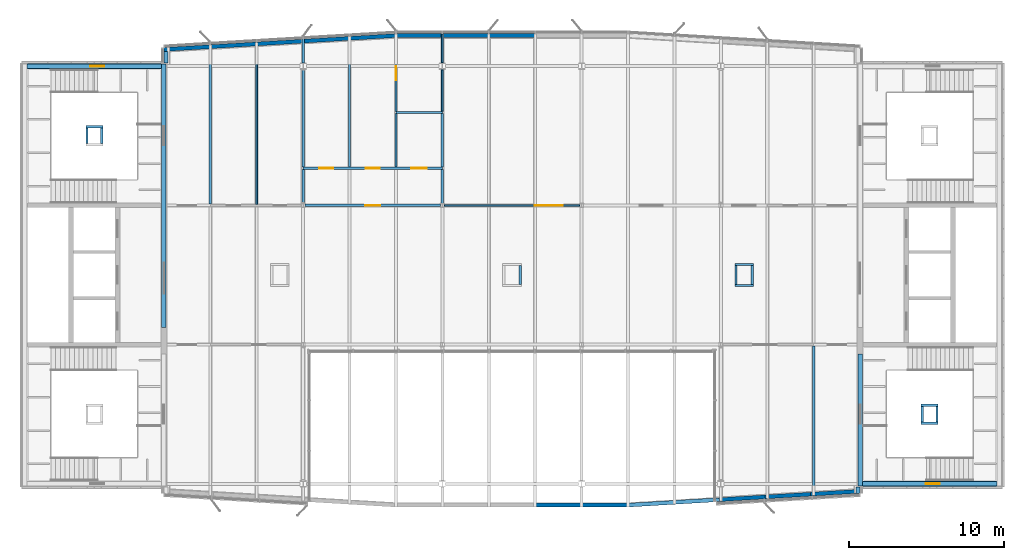
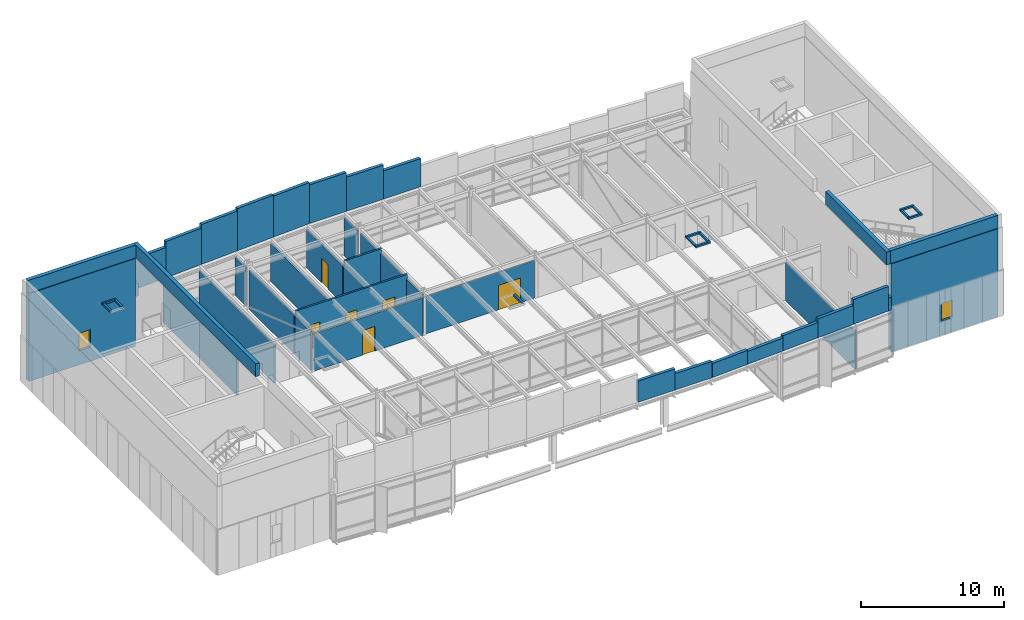
# One storey, part 18 of 23: 52 walls, 6 doors, 2 windows, 8 openings.
"""IFC4 building model written with IfcOpenShell, lengths in metres."""

from ifc_helpers import new_model, si_unit, direction, frame, frame_2d, origin, place, context, subcontext, project, spatial, rectangle, extrude, material, layer, layer_set, type_object, element, fill, save


model = new_model("IFC4")

# Units and contexts
model_context = context("Model", 3, precision=1e-05, world=origin(), true_north=direction((0.0, 1.0)))
body_context = subcontext(model_context, "Body", "Model", "MODEL_VIEW")
ifc_project = project(units=[si_unit("LENGTHUNIT", "METRE"), si_unit("AREAUNIT", "SQUARE_METRE"), si_unit("VOLUMEUNIT", "CUBIC_METRE"), si_unit("PLANEANGLEUNIT", "RADIAN"), si_unit("MASSUNIT", "GRAM", prefix="KILO")], contexts=[model_context])

# Site, building, storey
site_placement = place(None, origin())
site = spatial("IfcSite", under=ifc_project, at=site_placement, CompositionType="ELEMENT")
building_placement = place(site_placement, origin())
building = spatial("IfcBuilding", under=site, at=building_placement, Name="Azimuth Sports and Learning Centre", CompositionType="ELEMENT")
storey_placement = place(building_placement, frame((0.0, 0.0, 75.300048828125)))
storey = spatial("IfcBuildingStorey", under=building, at=storey_placement, Name="L17", CompositionType="ELEMENT", Elevation=75.300048828125)

# Walls
ifc_material_1 = material(Name="Reinforced masonry parapet", Category="masonry")
ifc_layer_1 = layer(ifc_material_1, 0.25)
ifc_layer_set_1 = layer_set([ifc_layer_1], Name="Reinforced masonry parapet")
wall_type_1 = type_object("IfcWallType", Name="Parapet wall 250", PredefinedType="PARAPET", material=ifc_layer_set_1)
wall_1_placement = place(storey_placement, frame((87.00146484375, 88.625, 3.89990234375), z_axis=(0.0, 0.0, 1.0), x_axis=(1.0, 0.0, 0.0)))
element("IfcWall", 1, at=wall_1_placement, inside=storey, type_object=wall_type_1, Name="Parapet S-TOWER-2 4", PredefinedType="PARAPET", context=body_context, shape_type="SweptSolid", body=[
    extrude(rectangle(XDim=2.999267578125, YDim=0.25, at=frame_2d((1.49951171875, 0.0))), origin(), (0.0, 0.0, 1.0), 1.800048828125),
])
wall_2_placement = place(storey_placement, frame((90.000732421875, 88.625, 3.89990234375), z_axis=(0.0, 0.0, 1.0), x_axis=(1.0, 0.0, 0.0)))
element("IfcWall", 2, at=wall_2_placement, inside=storey, type_object=wall_type_1, Name="Parapet S-TOWER-2 5", PredefinedType="PARAPET", context=body_context, shape_type="SweptSolid", body=[
    extrude(rectangle(XDim=2.999267578125, YDim=0.25, at=frame_2d((1.49951171875, 0.0))), origin(), (0.0, 0.0, 1.0), 1.400146484375),
])
wall_3_placement = place(storey_placement, frame((92.996337890625, 88.625, 3.89990234375), z_axis=(0.0, 0.0, 1.0), x_axis=(0.998205635417, 0.059879123422, 0.0)))
element("IfcWall", 3, at=wall_3_placement, inside=storey, type_object=wall_type_1, Name="Parapet S-TOWER-3 1", PredefinedType="PARAPET", context=body_context, shape_type="SweptSolid", body=[
    extrude(rectangle(XDim=2.9560546875, YDim=0.25, at=frame_2d((1.47802734375, 0.0))), origin(), (0.0, 0.0, 1.0), 1.199951171875),
])
wall_4_placement = place(storey_placement, frame((95.947021484375, 88.802001953125, 3.89990234375), z_axis=(0.0, 0.0, 1.0), x_axis=(0.998205931514, 0.059874187172, 0.0)))
element("IfcWall", 4, at=wall_4_placement, inside=storey, type_object=wall_type_1, Name="Parapet S-TOWER-3 2", PredefinedType="PARAPET", context=body_context, shape_type="SweptSolid", body=[
    extrude(rectangle(XDim=2.956298828125, YDim=0.25, at=frame_2d((1.47802734375, 0.0))), origin(), (0.0, 0.0, 1.0), 1.10009765625),
])
wall_5_placement = place(storey_placement, frame((98.89794921875, 88.97900390625, 3.89990234375), z_axis=(0.0, 0.0, 1.0), x_axis=(0.998200695393, 0.059961418572, 0.0)))
element("IfcWall", 5, at=wall_5_placement, inside=storey, type_object=wall_type_1, Name="Parapet S-TOWER-3 3", PredefinedType="PARAPET", context=body_context, shape_type="SweptSolid", body=[
    extrude(rectangle(XDim=2.9560546875, YDim=0.25, at=frame_2d((1.47802734375, 0.0))), origin(), (0.0, 0.0, 1.0), 1.300048828125),
])
wall_6_placement = place(storey_placement, frame((101.8486328125, 89.15625, 3.89990234375), z_axis=(0.0, 0.0, 1.0), x_axis=(0.998205635417, 0.059879123422, 0.0)))
element("IfcWall", 6, at=wall_6_placement, inside=storey, type_object=wall_type_1, Name="Parapet S-TOWER-3 4", PredefinedType="PARAPET", context=body_context, shape_type="SweptSolid", body=[
    extrude(rectangle(XDim=2.9560546875, YDim=0.25, at=frame_2d((1.47802734375, 0.0))), origin(), (0.0, 0.0, 1.0), 1.60009765625),
])
wall_7_placement = place(storey_placement, frame((104.79931640625, 89.333251953125, 3.89990234375), z_axis=(0.0, 0.0, 1.0), x_axis=(0.998205931514, 0.059874187172, 0.0)))
element("IfcWall", 7, at=wall_7_placement, inside=storey, type_object=wall_type_1, Name="Parapet S-TOWER-3 5", PredefinedType="PARAPET", context=body_context, shape_type="SweptSolid", body=[
    extrude(rectangle(XDim=2.956298828125, YDim=0.25, at=frame_2d((1.47802734375, 0.0))), origin(), (0.0, 0.0, 1.0), 2.10009765625),
])
wall_8_placement = place(storey_placement, frame((107.875, 89.38525390625, 3.89990234375), z_axis=(0.0, 0.0, 1.0), x_axis=(0.0, 1.0, 0.0)))
element("IfcWall", 8, at=wall_8_placement, inside=storey, type_object=wall_type_1, Name="Parapet E-RET-S", PredefinedType="PARAPET", context=body_context, shape_type="SweptSolid", body=[
    extrude(rectangle(XDim=0.414794921875, YDim=0.25, at=frame_2d((0.20751953125, 0.0))), origin(), (0.0, 0.0, 1.0), 1.10009765625),
])
wall_9_placement = place(storey_placement, frame((86.997802734375, 118.97509765625, 3.89990234375), z_axis=(0.0, 0.0, 1.0), x_axis=(-1.0, 0.0, 0.0)))
element("IfcWall", 9, at=wall_9_placement, inside=storey, type_object=wall_type_1, Name="Parapet N-TOWER-2 3", PredefinedType="PARAPET", context=body_context, shape_type="SweptSolid", body=[
    extrude(rectangle(XDim=2.999267578125, YDim=0.25, at=frame_2d((1.49951171875, 0.0))), origin(), (0.0, 0.0, 1.0), 2.400146484375),
])
wall_10_placement = place(storey_placement, frame((83.99853515625, 118.97509765625, 3.89990234375), z_axis=(0.0, 0.0, 1.0), x_axis=(-1.0, 0.0, 0.0)))
element("IfcWall", 10, at=wall_10_placement, inside=storey, type_object=wall_type_1, Name="Parapet N-TOWER-2 4", PredefinedType="PARAPET", context=body_context, shape_type="SweptSolid", body=[
    extrude(rectangle(XDim=2.999267578125, YDim=0.25, at=frame_2d((1.49951171875, 0.0))), origin(), (0.0, 0.0, 1.0), 2.900146484375),
])
wall_11_placement = place(storey_placement, frame((80.999267578125, 118.97509765625, 3.89990234375), z_axis=(0.0, 0.0, 1.0), x_axis=(-1.0, 0.0, 0.0)))
element("IfcWall", 11, at=wall_11_placement, inside=storey, type_object=wall_type_1, Name="Parapet N-TOWER-2 5", PredefinedType="PARAPET", context=body_context, shape_type="SweptSolid", body=[
    extrude(rectangle(XDim=2.999267578125, YDim=0.25, at=frame_2d((1.49951171875, 0.0))), origin(), (0.0, 0.0, 1.0), 3.300048828125),
])
wall_12_placement = place(storey_placement, frame((78.003662109375, 118.97509765625, 3.89990234375), z_axis=(0.0, 0.0, 1.0), x_axis=(-0.998203971819, -0.059906849736, 0.0)))
element("IfcWall", 12, at=wall_12_placement, inside=storey, type_object=wall_type_1, Name="Parapet N-TOWER-3 1", PredefinedType="PARAPET", context=body_context, shape_type="SweptSolid", body=[
    extrude(rectangle(XDim=3.007568359375, YDim=0.25, at=frame_2d((1.50390625, 0.0))), origin(), (0.0, 0.0, 1.0), 3.5),
])
wall_13_placement = place(storey_placement, frame((75.00146484375, 118.794921875, 3.89990234375), z_axis=(0.0, 0.0, 1.0), x_axis=(-0.998203971819, -0.059906849736, 0.0)))
element("IfcWall", 13, at=wall_13_placement, inside=storey, type_object=wall_type_1, Name="Parapet N-TOWER-3 2", PredefinedType="PARAPET", context=body_context, shape_type="SweptSolid", body=[
    extrude(rectangle(XDim=3.007568359375, YDim=0.25, at=frame_2d((1.50390625, 0.0))), origin(), (0.0, 0.0, 1.0), 3.60009765625),
])
wall_14_placement = place(storey_placement, frame((71.999267578125, 118.61474609375, 3.89990234375), z_axis=(0.0, 0.0, 1.0), x_axis=(-0.998203971819, -0.059906849736, 0.0)))
element("IfcWall", 14, at=wall_14_placement, inside=storey, type_object=wall_type_1, Name="Parapet N-TOWER-3 3", PredefinedType="PARAPET", context=body_context, shape_type="SweptSolid", body=[
    extrude(rectangle(XDim=3.007568359375, YDim=0.25, at=frame_2d((1.50390625, 0.0))), origin(), (0.0, 0.0, 1.0), 3.400146484375),
])
wall_15_placement = place(storey_placement, frame((68.9970703125, 118.4345703125, 3.89990234375), z_axis=(0.0, 0.0, 1.0), x_axis=(-0.998203971819, -0.059906849736, 0.0)))
element("IfcWall", 15, at=wall_15_placement, inside=storey, type_object=wall_type_1, Name="Parapet N-TOWER-3 4", PredefinedType="PARAPET", context=body_context, shape_type="SweptSolid", body=[
    extrude(rectangle(XDim=3.007568359375, YDim=0.25, at=frame_2d((1.50390625, 0.0))), origin(), (0.0, 0.0, 1.0), 3.10009765625),
])
wall_16_placement = place(storey_placement, frame((65.994873046875, 118.25439453125, 3.89990234375), z_axis=(0.0, 0.0, 1.0), x_axis=(-0.998208822746, -0.059825965875, 0.0)))
element("IfcWall", 16, at=wall_16_placement, inside=storey, type_object=wall_type_1, Name="Parapet N-TOWER-3 5", PredefinedType="PARAPET", context=body_context, shape_type="SweptSolid", body=[
    extrude(rectangle(XDim=3.007568359375, YDim=0.25, at=frame_2d((1.50390625, 0.0))), origin(), (0.0, 0.0, 1.0), 2.60009765625),
])
wall_17_placement = place(storey_placement, frame((63.125, 117.957275390625, 3.89990234375), z_axis=(0.0, 0.0, 1.0), x_axis=(0.0, -1.0, 0.0)))
element("IfcWall", 17, at=wall_17_placement, inside=storey, type_object=wall_type_1, Name="Parapet W-RET-N", PredefinedType="PARAPET", context=body_context, shape_type="SweptSolid", body=[
    extrude(rectangle(XDim=0.75732421875, YDim=0.25, at=frame_2d((0.378662109375, 0.0))), origin(), (0.0, 0.0, 1.0), 1.10009765625),
])
ifc_material_2 = material(Name="Reinforced masonry parapet", Category="masonry")
ifc_layer_2 = layer(ifc_material_2, 0.300048828125)
ifc_layer_set_2 = layer_set([ifc_layer_2], Name="Reinforced masonry parapet")
wall_type_2 = type_object("IfcWallType", Name="Parapet wall 300", PredefinedType="PARAPET", material=ifc_layer_set_2)
wall_18_placement = place(storey_placement, frame((63.0, 100.10009765625, 7.5), z_axis=(0.0, 0.0, 1.0), x_axis=(0.0, 1.0, 0.0)))
element("IfcWall", 18, at=wall_18_placement, inside=storey, type_object=wall_type_2, Name="Crown parapet W E 2", PredefinedType="PARAPET", context=body_context, shape_type="SweptSolid", body=[
    extrude(rectangle(XDim=17.0498046875, YDim=0.300048828125, at=frame_2d((8.52490234375, 0.0))), origin(), (0.0, 0.0, 1.0), 1.099853515625),
])
wall_19_placement = place(storey_placement, frame((54.14990234375, 117.0, 7.5), z_axis=(0.0, 0.0, 1.0), x_axis=(1.0, 0.0, 0.0)))
element("IfcWall", 19, at=wall_19_placement, inside=storey, type_object=wall_type_2, Name="Crown parapet W N", PredefinedType="PARAPET", context=body_context, shape_type="SweptSolid", body=[
    extrude(rectangle(XDim=8.7001953125, YDim=0.300048828125, at=frame_2d((4.35009765625, 0.0))), origin(), (0.0, 0.0, 1.0), 1.099853515625),
])
wall_20_placement = place(storey_placement, frame((108.0, 89.85009765625, 7.5), z_axis=(0.0, 0.0, 1.0), x_axis=(0.0, 1.0, 0.0)))
element("IfcWall", 20, at=wall_20_placement, inside=storey, type_object=wall_type_2, Name="Crown parapet E W 1", PredefinedType="PARAPET", context=body_context, shape_type="SweptSolid", body=[
    extrude(rectangle(XDim=8.5498046875, YDim=0.300048828125, at=frame_2d((4.27490234375, 0.0))), origin(), (0.0, 0.0, 1.0), 1.099853515625),
])
wall_21_placement = place(storey_placement, frame((108.14990234375, 90.0, 7.5), z_axis=(0.0, 0.0, 1.0), x_axis=(1.0, 0.0, 0.0)))
element("IfcWall", 21, at=wall_21_placement, inside=storey, type_object=wall_type_2, Name="Crown parapet E S", PredefinedType="PARAPET", context=body_context, shape_type="SweptSolid", body=[
    extrude(rectangle(XDim=8.7001953125, YDim=0.300048828125, at=frame_2d((4.35009765625, 0.0))), origin(), (0.0, 0.0, 1.0), 1.099853515625),
])

# Wall, opening, door
ifc_material_3 = material(Name="Gypsum board on steel studs", Category="steel")
ifc_layer_3 = layer(ifc_material_3, 0.10009765625)
ifc_layer_set_3 = layer_set([ifc_layer_3], Name="Gypsum board on steel studs")
wall_type_3 = type_object("IfcWallType", Name="Partition 100 EI 30", PredefinedType="PARTITIONING", material=ifc_layer_set_3)
wall_22_placement = place(storey_placement, frame((81.1298828125, 108.0, 0.0), z_axis=(0.0, 0.0, 1.0), x_axis=(1.0, 0.0, 0.0)))
wall_22 = element("IfcWall", 22, at=wall_22_placement, inside=storey, type_object=wall_type_3, Name="Partition Seminar Room 17.16 / Learning Street", PredefinedType="PARTITIONING", context=body_context, shape_type="SweptSolid", body=[
    extrude(rectangle(XDim=8.740234375, YDim=0.10009765625, at=frame_2d((4.3701171875, 0.0))), origin(), (0.0, 0.0, 1.0), 3.199951171875),
])
opening_1_placement = place(wall_22_placement, frame((5.844970703125, 0.0, 0.0)))
opening_1 = element("IfcOpeningElement", 23, at=opening_1_placement, cuts=wall_22, Name="Opening D17-024", PredefinedType="OPENING", context=body_context, shape_type="SweptSolid", body=[
    extrude(rectangle(XDim=1.800048828125, YDim=2.10009765625, at=frame_2d((0.89990234375, 1.050048828125))), frame((0.0, 0.06103515625, 0.0), z_axis=(0.0, -1.0, 0.0), x_axis=(1.0, 0.0, 0.0)), (0.0, 0.0, 1.0), 0.1220703125),
])
ifc_material_4 = material(Name="Painted steel door set", Category="steel")
door_type_1 = type_object("IfcDoorType", Name="Fire door FD30S 1800 x 2100 double leaf", OperationType="DOUBLE_DOOR_SINGLE_SWING", PredefinedType="DOOR", material=ifc_material_4)
door_1_placement = place(opening_1_placement, origin())
door_1 = element("IfcDoor", 24, at=door_1_placement, inside=storey, type_object=door_type_1, Name="Door Seminar Room 17.16 / Learning Street", OperationType="DOUBLE_DOOR_SINGLE_SWING", OverallHeight=2.10009765625, OverallWidth=1.800048828125, PredefinedType="DOOR", context=body_context, shape_type="SweptSolid", body=[
    extrude(rectangle(XDim=1.800048828125, YDim=2.10009765625, at=frame_2d((0.89990234375, 1.050048828125))), frame((0.0, 0.02490234375, 0.0), z_axis=(0.0, -1.0, 0.0), x_axis=(1.0, 0.0, 0.0)), (0.0, 0.0, 1.0), 0.050048828125),
])
fill(opening_1, door_1)

# Walls
ifc_material_5 = material(Name="Gypsum board on steel studs, acoustic", Category="steel")
ifc_layer_4 = layer(ifc_material_5, 0.125)
ifc_layer_set_4 = layer_set([ifc_layer_4], Name="Gypsum board on steel studs, acoustic")
wall_type_4 = type_object("IfcWallType", Name="Partition 125 EI 60", PredefinedType="PARTITIONING", material=ifc_layer_set_4)
wall_23_placement = place(storey_placement, frame((69.0, 108.050048828125, 0.0), z_axis=(0.0, 0.0, 1.0), x_axis=(0.0, 1.0, 0.0)))
element("IfcWall", 25, at=wall_23_placement, inside=storey, type_object=wall_type_4, Name="Partition Reception 17.09 / Cleaner Store 17.10", PredefinedType="PARTITIONING", context=body_context, shape_type="SweptSolid", body=[
    extrude(rectangle(XDim=10.510009765625, YDim=0.125, at=frame_2d((5.2548828125, 0.0))), origin(), (0.0, 0.0, 1.0), 3.25),
])
wall_24_placement = place(storey_placement, frame((81.0, 114.074951171875, 0.0), z_axis=(0.0, 0.0, 1.0), x_axis=(0.0, 1.0, 0.0)))
element("IfcWall", 26, at=wall_24_placement, inside=storey, type_object=wall_type_4, Name="Partition Cleaner Store 17.15 / Seminar Room 17.16", PredefinedType="PARTITIONING", context=body_context, shape_type="SweptSolid", body=[
    extrude(rectangle(XDim=2.70751953125, YDim=0.125, at=frame_2d((1.353759765625, 0.0))), origin(), (0.0, 0.0, 1.0), 3.300048828125),
])
wall_25_placement = place(storey_placement, frame((81.0, 117.217529296875, 0.0), z_axis=(0.0, 0.0, 1.0), x_axis=(0.0, 1.0, 0.0)))
element("IfcWall", 27, at=wall_25_placement, inside=storey, type_object=wall_type_4, Name="Partition Cleaner Store 17.15 / Seminar Room 17.16", PredefinedType="PARTITIONING", context=body_context, shape_type="SweptSolid", body=[
    extrude(rectangle(XDim=1.882568359375, YDim=0.125, at=frame_2d((0.94140625, 0.0))), origin(), (0.0, 0.0, 1.0), 3.25),
])

# Wall, opening, door
ifc_material_6 = material(Name="Lightweight blockwork, rendered", Category="masonry")
ifc_layer_5 = layer(ifc_material_6, 0.14990234375)
ifc_layer_set_5 = layer_set([ifc_layer_5], Name="Lightweight blockwork, rendered")
wall_type_5 = type_object("IfcWallType", Name="Partition 150 EI 60", PredefinedType="PARTITIONING", material=ifc_layer_set_5)
wall_26_placement = place(storey_placement, frame((72.1298828125, 108.0, 0.0), z_axis=(0.0, 0.0, 1.0), x_axis=(1.0, 0.0, 0.0)))
wall_26 = element("IfcWall", 28, at=wall_26_placement, inside=storey, type_object=wall_type_5, Name="Partition WC Lobby 17.11 / Learning Street", PredefinedType="PARTITIONING", context=body_context, shape_type="SweptSolid", body=[
    extrude(rectangle(XDim=8.740234375, YDim=0.14990234375, at=frame_2d((4.3701171875, 0.0))), origin(), (0.0, 0.0, 1.0), 3.199951171875),
])
opening_2_placement = place(wall_26_placement, frame((3.8701171875, 0.0, 0.0)))
opening_2 = element("IfcOpeningElement", 29, at=opening_2_placement, cuts=wall_26, Name="Opening D17-023", PredefinedType="OPENING", context=body_context, shape_type="SweptSolid", body=[
    extrude(rectangle(XDim=1.0, YDim=2.10009765625, at=frame_2d((0.5, 1.050048828125))), frame((0.0, 0.0859375, 0.0), z_axis=(0.0, -1.0, 0.0), x_axis=(1.0, 0.0, 0.0)), (0.0, 0.0, 1.0), 0.171875),
])
ifc_material_7 = material(Name="Painted steel door set", Category="steel")
door_type_2 = type_object("IfcDoorType", Name="Fire door FD60 1000 x 2100", OperationType="NOTDEFINED", PredefinedType="DOOR", material=ifc_material_7)
door_2_placement = place(opening_2_placement, origin())
door_2 = element("IfcDoor", 30, at=door_2_placement, inside=storey, type_object=door_type_2, Name="Door WC Lobby 17.11 / Learning Street", OperationType="SINGLE_SWING_LEFT", OverallHeight=2.10009765625, OverallWidth=1.0, PredefinedType="DOOR", context=body_context, shape_type="SweptSolid", body=[
    extrude(rectangle(XDim=1.0, YDim=2.10009765625, at=frame_2d((0.5, 1.050048828125))), frame((0.0, 0.02490234375, 0.0), z_axis=(0.0, -1.0, 0.0), x_axis=(1.0, 0.0, 0.0)), (0.0, 0.0, 1.0), 0.050048828125),
])
fill(opening_2, door_2)

# Wall, openings, doors
wall_27_placement = place(storey_placement, frame((72.0, 110.39990234375, 0.0), z_axis=(0.0, 0.0, 1.0), x_axis=(1.0, 0.0, 0.0)))
wall_27 = element("IfcWall", 31, at=wall_27_placement, inside=storey, type_object=wall_type_5, Name="Partition WC Lobby 17.11 / Men WC 17.12", PredefinedType="PARTITIONING", context=body_context, shape_type="SweptSolid", body=[
    extrude(rectangle(XDim=9.0, YDim=0.14990234375, at=frame_2d((4.5, 0.0))), origin(), (0.0, 0.0, 1.0), 3.699951171875),
])
opening_3_placement = place(wall_27_placement, frame((1.050048828125, 0.0, 0.0)))
opening_3 = element("IfcOpeningElement", 32, at=opening_3_placement, cuts=wall_27, Name="Opening D17-028", PredefinedType="OPENING", context=body_context, shape_type="SweptSolid", body=[
    extrude(rectangle(XDim=0.89990234375, YDim=2.10009765625, at=frame_2d((0.449951171875, 1.050048828125))), frame((0.0, 0.0859375, 0.0), z_axis=(0.0, -1.0, 0.0), x_axis=(1.0, 0.0, 0.0)), (0.0, 0.0, 1.0), 0.171875),
])
opening_4_placement = place(wall_27_placement, frame((4.050048828125, 0.0, 0.0)))
opening_4 = element("IfcOpeningElement", 33, at=opening_4_placement, cuts=wall_27, Name="Opening D17-029", PredefinedType="OPENING", context=body_context, shape_type="SweptSolid", body=[
    extrude(rectangle(XDim=0.89990234375, YDim=2.10009765625, at=frame_2d((0.449951171875, 1.050048828125))), frame((0.0, 0.0859375, 0.0), z_axis=(0.0, -1.0, 0.0), x_axis=(1.0, 0.0, 0.0)), (0.0, 0.0, 1.0), 0.171875),
])
opening_5_placement = place(wall_27_placement, frame((7.0, 0.0, 0.0)))
opening_5 = element("IfcOpeningElement", 34, at=opening_5_placement, cuts=wall_27, Name="Opening D17-030", PredefinedType="OPENING", context=body_context, shape_type="SweptSolid", body=[
    extrude(rectangle(XDim=1.0, YDim=2.10009765625, at=frame_2d((0.5, 1.050048828125))), frame((0.0, 0.0859375, 0.0), z_axis=(0.0, -1.0, 0.0), x_axis=(1.0, 0.0, 0.0)), (0.0, 0.0, 1.0), 0.171875),
])
door_3_placement = place(opening_5_placement, origin())
door_3 = element("IfcDoor", 35, at=door_3_placement, inside=storey, type_object=door_type_2, Name="Door WC Lobby 17.11 / Accessible WC 17.14", OperationType="SINGLE_SWING_LEFT", OverallHeight=2.10009765625, OverallWidth=1.0, PredefinedType="DOOR", context=body_context, shape_type="SweptSolid", body=[
    extrude(rectangle(XDim=1.0, YDim=2.10009765625, at=frame_2d((0.5, 1.050048828125))), frame((0.0, 0.02490234375, 0.0), z_axis=(0.0, -1.0, 0.0), x_axis=(1.0, 0.0, 0.0)), (0.0, 0.0, 1.0), 0.050048828125),
])
fill(opening_5, door_3)
ifc_material_8 = material(Name="Painted steel door set", Category="steel")
door_type_3 = type_object("IfcDoorType", Name="Fire door FD60 900 x 2100", OperationType="NOTDEFINED", PredefinedType="DOOR", material=ifc_material_8)
door_4_placement = place(opening_3_placement, frame((0.89990234375, 0.0, 0.0), z_axis=(0.0, 0.0, 1.0), x_axis=(-1.0, 0.0, 0.0)))
door_4 = element("IfcDoor", 36, at=door_4_placement, inside=storey, type_object=door_type_3, Name="Door WC Lobby 17.11 / Men WC 17.12", OperationType="SINGLE_SWING_RIGHT", OverallHeight=2.10009765625, OverallWidth=0.89990234375, PredefinedType="DOOR", context=body_context, shape_type="SweptSolid", body=[
    extrude(rectangle(XDim=0.89990234375, YDim=2.10009765625, at=frame_2d((0.449951171875, 1.050048828125))), frame((0.0, 0.02490234375, 0.0), z_axis=(0.0, -1.0, 0.0), x_axis=(1.0, 0.0, 0.0)), (0.0, 0.0, 1.0), 0.050048828125),
])
fill(opening_3, door_4)
door_5_placement = place(opening_4_placement, frame((0.89990234375, 0.0, 0.0), z_axis=(0.0, 0.0, 1.0), x_axis=(-1.0, 0.0, 0.0)))
door_5 = element("IfcDoor", 37, at=door_5_placement, inside=storey, type_object=door_type_3, Name="Door WC Lobby 17.11 / Women WC 17.13", OperationType="SINGLE_SWING_RIGHT", OverallHeight=2.10009765625, OverallWidth=0.89990234375, PredefinedType="DOOR", context=body_context, shape_type="SweptSolid", body=[
    extrude(rectangle(XDim=0.89990234375, YDim=2.10009765625, at=frame_2d((0.449951171875, 1.050048828125))), frame((0.0, 0.02490234375, 0.0), z_axis=(0.0, -1.0, 0.0), x_axis=(1.0, 0.0, 0.0)), (0.0, 0.0, 1.0), 0.050048828125),
])
fill(opening_4, door_5)

# Walls
wall_28_placement = place(storey_placement, frame((78.0, 114.0, 0.0), z_axis=(0.0, 0.0, 1.0), x_axis=(1.0, 0.0, 0.0)))
element("IfcWall", 38, at=wall_28_placement, inside=storey, type_object=wall_type_5, Name="Partition Accessible WC 17.14 / Cleaner Store 17.15", PredefinedType="PARTITIONING", context=body_context, shape_type="SweptSolid", body=[
    extrude(rectangle(XDim=3.0, YDim=0.14990234375, at=frame_2d((1.5, 0.0))), origin(), (0.0, 0.0, 1.0), 3.699951171875),
])
wall_29_placement = place(storey_placement, frame((66.0, 108.074951171875, 0.0), z_axis=(0.0, 0.0, 1.0), x_axis=(0.0, 1.0, 0.0)))
element("IfcWall", 39, at=wall_29_placement, inside=storey, type_object=wall_type_5, Name="Partition Stair Lobby W2 17.02 / Reception 17.09", PredefinedType="PARTITIONING", context=body_context, shape_type="SweptSolid", body=[
    extrude(rectangle(XDim=10.304931640625, YDim=0.14990234375, at=frame_2d((5.15234375, 0.0))), origin(), (0.0, 0.0, 1.0), 3.25),
])
wall_30_placement = place(storey_placement, frame((72.0, 108.1298828125, 0.0), z_axis=(0.0, 0.0, 1.0), x_axis=(0.0, 1.0, 0.0)))
element("IfcWall", 40, at=wall_30_placement, inside=storey, type_object=wall_type_5, Name="Partition Cleaner Store 17.10 / WC Lobby 17.11", PredefinedType="PARTITIONING", context=body_context, shape_type="SweptSolid", body=[
    extrude(rectangle(XDim=2.195068359375, YDim=0.14990234375, at=frame_2d((1.09765625, 0.0))), origin(), (0.0, 0.0, 1.0), 3.300048828125),
])
wall_31_placement = place(storey_placement, frame((72.0, 110.47509765625, 0.0), z_axis=(0.0, 0.0, 1.0), x_axis=(0.0, 1.0, 0.0)))
element("IfcWall", 41, at=wall_31_placement, inside=storey, type_object=wall_type_5, Name="Partition Cleaner Store 17.10 / WC Lobby 17.11", PredefinedType="PARTITIONING", context=body_context, shape_type="SweptSolid", body=[
    extrude(rectangle(XDim=6.307373046875, YDim=0.14990234375, at=frame_2d((3.15380859375, 0.0))), origin(), (0.0, 0.0, 1.0), 3.300048828125),
])
wall_32_placement = place(storey_placement, frame((72.0, 117.217529296875, 0.0), z_axis=(0.0, 0.0, 1.0), x_axis=(0.0, 1.0, 0.0)))
element("IfcWall", 42, at=wall_32_placement, inside=storey, type_object=wall_type_5, Name="Partition Cleaner Store 17.10 / WC Lobby 17.11", PredefinedType="PARTITIONING", context=body_context, shape_type="SweptSolid", body=[
    extrude(rectangle(XDim=1.5224609375, YDim=0.14990234375, at=frame_2d((0.76123046875, 0.0))), origin(), (0.0, 0.0, 1.0), 3.25),
])
wall_33_placement = place(storey_placement, frame((75.0, 110.47509765625, 0.0), z_axis=(0.0, 0.0, 1.0), x_axis=(0.0, 1.0, 0.0)))
element("IfcWall", 43, at=wall_33_placement, inside=storey, type_object=wall_type_5, Name="Partition Men WC 17.12 / Women WC 17.13", PredefinedType="PARTITIONING", context=body_context, shape_type="SweptSolid", body=[
    extrude(rectangle(XDim=8.44482421875, YDim=0.14990234375, at=frame_2d((4.222412109375, 0.0))), origin(), (0.0, 0.0, 1.0), 3.25),
])
wall_34_placement = place(storey_placement, frame((78.0, 110.47509765625, 0.0), z_axis=(0.0, 0.0, 1.0), x_axis=(0.0, 1.0, 0.0)))
element("IfcWall", 44, at=wall_34_placement, inside=storey, type_object=wall_type_5, Name="Partition Women WC 17.13 / Accessible WC 17.14", PredefinedType="PARTITIONING", context=body_context, shape_type="SweptSolid", body=[
    extrude(rectangle(XDim=3.449951171875, YDim=0.14990234375, at=frame_2d((1.72509765625, 0.0))), origin(), (0.0, 0.0, 1.0), 3.25),
])

# Wall, opening, door
wall_35_placement = place(storey_placement, frame((78.0, 114.074951171875, 0.0), z_axis=(0.0, 0.0, 1.0), x_axis=(0.0, 1.0, 0.0)))
wall_35 = element("IfcWall", 45, at=wall_35_placement, inside=storey, type_object=wall_type_5, Name="Partition Women WC 17.13 / Accessible WC 17.14", PredefinedType="PARTITIONING", context=body_context, shape_type="SweptSolid", body=[
    extrude(rectangle(XDim=5.025146484375, YDim=0.14990234375, at=frame_2d((2.5126953125, 0.0))), origin(), (0.0, 0.0, 1.0), 3.25),
])
opening_6_placement = place(wall_35_placement, frame((2.02490234375, 0.0, 0.0)))
opening_6 = element("IfcOpeningElement", 46, at=opening_6_placement, cuts=wall_35, Name="Opening D17-031", PredefinedType="OPENING", context=body_context, shape_type="SweptSolid", body=[
    extrude(rectangle(XDim=0.89990234375, YDim=2.10009765625, at=frame_2d((0.449951171875, 1.050048828125))), frame((0.0, 0.0859375, 0.0), z_axis=(0.0, -1.0, 0.0), x_axis=(1.0, 0.0, 0.0)), (0.0, 0.0, 1.0), 0.171875),
])
door_6_placement = place(opening_6_placement, frame((0.89990234375, 0.0, 0.0), z_axis=(0.0, 0.0, 1.0), x_axis=(-1.0, 0.0, 0.0)))
door_6 = element("IfcDoor", 47, at=door_6_placement, inside=storey, type_object=door_type_3, Name="Door Women WC 17.13 / Cleaner Store 17.15", OperationType="SINGLE_SWING_LEFT", OverallHeight=2.10009765625, OverallWidth=0.89990234375, PredefinedType="DOOR", context=body_context, shape_type="SweptSolid", body=[
    extrude(rectangle(XDim=0.89990234375, YDim=2.10009765625, at=frame_2d((0.449951171875, 1.050048828125))), frame((0.0, 0.02490234375, 0.0), z_axis=(0.0, -1.0, 0.0), x_axis=(1.0, 0.0, 0.0)), (0.0, 0.0, 1.0), 0.050048828125),
])
fill(opening_6, door_6)

# Walls
wall_36_placement = place(storey_placement, frame((81.0, 108.1298828125, 0.0), z_axis=(0.0, 0.0, 1.0), x_axis=(0.0, 1.0, 0.0)))
element("IfcWall", 48, at=wall_36_placement, inside=storey, type_object=wall_type_5, Name="Partition WC Lobby 17.11 / Accessible WC 17.14", PredefinedType="PARTITIONING", context=body_context, shape_type="SweptSolid", body=[
    extrude(rectangle(XDim=2.195068359375, YDim=0.14990234375, at=frame_2d((1.09765625, 0.0))), origin(), (0.0, 0.0, 1.0), 3.300048828125),
])
wall_37_placement = place(storey_placement, frame((81.0, 110.47509765625, 0.0), z_axis=(0.0, 0.0, 1.0), x_axis=(0.0, 1.0, 0.0)))
element("IfcWall", 49, at=wall_37_placement, inside=storey, type_object=wall_type_5, Name="Partition WC Lobby 17.11 / Accessible WC 17.14", PredefinedType="PARTITIONING", context=body_context, shape_type="SweptSolid", body=[
    extrude(rectangle(XDim=3.449951171875, YDim=0.14990234375, at=frame_2d((1.72509765625, 0.0))), origin(), (0.0, 0.0, 1.0), 3.300048828125),
])
wall_38_placement = place(storey_placement, frame((105.0, 89.219970703125, 0.0), z_axis=(0.0, 0.0, 1.0), x_axis=(0.0, 1.0, 0.0)))
element("IfcWall", 50, at=wall_38_placement, inside=storey, type_object=wall_type_5, Name="Partition Stair Lobby E1 17.03 / Boardroom 17.08", PredefinedType="PARTITIONING", context=body_context, shape_type="SweptSolid", body=[
    extrude(rectangle(XDim=9.705078125, YDim=0.14990234375, at=frame_2d((4.8525390625, 0.0))), origin(), (0.0, 0.0, 1.0), 3.25),
])

# Wall, opening, window
ifc_material_9 = material(Name="Concrete C40/50", Category="concrete")
ifc_layer_6 = layer(ifc_material_9, 0.39990234375)
ifc_layer_set_6 = layer_set([ifc_layer_6], Name="Concrete C40/50")
wall_type_6 = type_object("IfcWallType", Name="RC external core wall 400", PredefinedType="SHEAR", material=ifc_layer_set_6)
wall_39_placement = place(storey_placement, frame((54.199951171875, 117.0, 0.0), z_axis=(0.0, 0.0, 1.0), x_axis=(1.0, 0.0, 0.0)))
wall_39 = element("IfcWall", 51, at=wall_39_placement, inside=storey, type_object=wall_type_6, Name="Core wall W N L17", PredefinedType="SHEAR", context=body_context, shape_type="SweptSolid", body=[
    extrude(rectangle(XDim=8.60009765625, YDim=0.39990234375, at=frame_2d((4.300048828125, 0.0))), origin(), (0.0, 0.0, 1.0), 7.5),
])
opening_7_placement = place(wall_39_placement, frame((4.050048828125, 0.0, 1.199951171875)))
opening_7 = element("IfcOpeningElement", 52, at=opening_7_placement, cuts=wall_39, Name="Opening W17-004", PredefinedType="OPENING", context=body_context, shape_type="SweptSolid", body=[
    extrude(rectangle(XDim=0.89990234375, YDim=1.5, at=frame_2d((0.449951171875, 0.75))), frame((0.0, 0.2109375, 0.0), z_axis=(0.0, -1.0, 0.0), x_axis=(1.0, 0.0, 0.0)), (0.0, 0.0, 1.0), 0.421875),
])
ifc_material_10 = material(Name="Aluminium and glass", Category="aluminium")
window_type = type_object("IfcWindowType", Name="Stair window tower core 900x1500", PartitioningType="SINGLE_PANEL", PredefinedType="WINDOW", material=ifc_material_10)
window_1_placement = place(opening_7_placement, origin())
window_1 = element("IfcWindow", 53, at=window_1_placement, inside=storey, type_object=window_type, Name="Window W17-004", OverallHeight=1.5, OverallWidth=0.89990234375, PartitioningType="SINGLE_PANEL", PredefinedType="WINDOW", context=body_context, shape_type="SweptSolid", body=[
    extrude(rectangle(XDim=0.89990234375, YDim=1.5, at=frame_2d((0.449951171875, 0.75))), frame((0.0, 0.030029296875, 0.0), z_axis=(0.0, -1.0, 0.0), x_axis=(1.0, 0.0, 0.0)), (0.0, 0.0, 1.0), 0.06005859375),
])
fill(opening_7, window_1)

wall_40_placement = place(storey_placement, frame((108.199951171875, 90.0, 0.0), z_axis=(0.0, 0.0, 1.0), x_axis=(1.0, 0.0, 0.0)))
wall_40 = element("IfcWall", 54, at=wall_40_placement, inside=storey, type_object=wall_type_6, Name="Core wall E S L17", PredefinedType="SHEAR", context=body_context, shape_type="SweptSolid", body=[
    extrude(rectangle(XDim=8.60009765625, YDim=0.39990234375, at=frame_2d((4.300048828125, 0.0))), origin(), (0.0, 0.0, 1.0), 7.5),
])
opening_8_placement = place(wall_40_placement, frame((4.050048828125, 0.0, 1.199951171875)))
opening_8 = element("IfcOpeningElement", 55, at=opening_8_placement, cuts=wall_40, Name="Opening W17-002", PredefinedType="OPENING", context=body_context, shape_type="SweptSolid", body=[
    extrude(rectangle(XDim=0.89990234375, YDim=1.5, at=frame_2d((0.449951171875, 0.75))), frame((0.0, 0.2109375, 0.0), z_axis=(0.0, -1.0, 0.0), x_axis=(1.0, 0.0, 0.0)), (0.0, 0.0, 1.0), 0.421875),
])
window_2_placement = place(opening_8_placement, origin())
window_2 = element("IfcWindow", 56, at=window_2_placement, inside=storey, type_object=window_type, Name="Window W17-002", OverallHeight=1.5, OverallWidth=0.89990234375, PartitioningType="SINGLE_PANEL", PredefinedType="WINDOW", context=body_context, shape_type="SweptSolid", body=[
    extrude(rectangle(XDim=0.89990234375, YDim=1.5, at=frame_2d((0.449951171875, 0.75))), frame((0.0, 0.030029296875, 0.0), z_axis=(0.0, -1.0, 0.0), x_axis=(1.0, 0.0, 0.0)), (0.0, 0.0, 1.0), 0.06005859375),
])
fill(opening_8, window_2)

# Walls
ifc_material_11 = material(Name="Insulated upstand")
ifc_layer_7 = layer(ifc_material_11, 0.14990234375)
ifc_layer_set_7 = layer_set([ifc_layer_7], Name="Insulated upstand")
wall_type_7 = type_object("IfcWallType", Name="Rooflight upstand 150", PredefinedType="SOLIDWALL", material=ifc_layer_set_7)
for number, where, z_axis, x_axis, name in (
    (57, (86.02490234375, 102.89990234375, 3.89990234375), (0.0, 0.0, 1.0), (0.0, 1.0, 0.0), "Rooflight upstand E"),
    (58, (99.89990234375, 102.824951171875, 3.89990234375), (0.0, 0.0, 1.0), (1.0, 0.0, 0.0), "Rooflight upstand S"),
    (59, (99.89990234375, 104.175048828125, 3.89990234375), (0.0, 0.0, 1.0), (1.0, 0.0, 0.0), "Rooflight upstand N"),
    (60, (99.97509765625, 102.89990234375, 3.89990234375), (0.0, 0.0, 1.0), (0.0, 1.0, 0.0), "Rooflight upstand W"),
    (61, (101.02490234375, 102.89990234375, 3.89990234375), (0.0, 0.0, 1.0), (0.0, 1.0, 0.0), "Rooflight upstand E"),
):
    element("IfcWall", number, at=place(storey_placement, frame(where, z_axis=z_axis, x_axis=x_axis)), inside=storey, type_object=wall_type_7, Name=name, PredefinedType="SOLIDWALL", context=body_context, shape_type="SweptSolid", body=[
        extrude(rectangle(XDim=1.2001953125, YDim=0.14990234375, at=frame_2d((0.60009765625, 0.0))), origin(), (0.0, 0.0, 1.0), 0.150146484375),
    ])
wall_41_placement = place(storey_placement, frame((57.949951171875, 113.074951171875, 7.5), z_axis=(0.0, 0.0, 1.0), x_axis=(1.0, 0.0, 0.0)))
element("IfcWall", 62, at=wall_41_placement, inside=storey, type_object=wall_type_7, Name="Rooflight upstand N", PredefinedType="SOLIDWALL", context=body_context, shape_type="SweptSolid", body=[
    extrude(rectangle(XDim=1.10009765625, YDim=0.14990234375, at=frame_2d((0.550048828125, 0.0))), origin(), (0.0, 0.0, 1.0), 0.14990234375),
])
for number, where, z_axis, x_axis, name in (
    (63, (58.02490234375, 112.0, 7.5), (0.0, 0.0, 1.0), (0.0, 1.0, 0.0), "Rooflight upstand W"),
    (64, (58.97509765625, 112.0, 7.5), (0.0, 0.0, 1.0), (0.0, 1.0, 0.0), "Rooflight upstand E"),
):
    element("IfcWall", number, at=place(storey_placement, frame(where, z_axis=z_axis, x_axis=x_axis)), inside=storey, type_object=wall_type_7, Name=name, PredefinedType="SOLIDWALL", context=body_context, shape_type="SweptSolid", body=[
        extrude(rectangle(XDim=1.0, YDim=0.14990234375, at=frame_2d((0.5, 0.0))), origin(), (0.0, 0.0, 1.0), 0.14990234375),
    ])
for number, where, z_axis, x_axis, name in (
    (65, (111.949951171875, 93.925048828125, 7.5), (0.0, 0.0, 1.0), (1.0, 0.0, 0.0), "Rooflight upstand S"),
    (66, (111.949951171875, 95.074951171875, 7.5), (0.0, 0.0, 1.0), (1.0, 0.0, 0.0), "Rooflight upstand N"),
):
    element("IfcWall", number, at=place(storey_placement, frame(where, z_axis=z_axis, x_axis=x_axis)), inside=storey, type_object=wall_type_7, Name=name, PredefinedType="SOLIDWALL", context=body_context, shape_type="SweptSolid", body=[
        extrude(rectangle(XDim=1.10009765625, YDim=0.14990234375, at=frame_2d((0.550048828125, 0.0))), origin(), (0.0, 0.0, 1.0), 0.14990234375),
    ])
for number, where, z_axis, x_axis, name in (
    (67, (112.02490234375, 94.0, 7.5), (0.0, 0.0, 1.0), (0.0, 1.0, 0.0), "Rooflight upstand W"),
    (68, (112.97509765625, 94.0, 7.5), (0.0, 0.0, 1.0), (0.0, 1.0, 0.0), "Rooflight upstand E"),
):
    element("IfcWall", number, at=place(storey_placement, frame(where, z_axis=z_axis, x_axis=x_axis)), inside=storey, type_object=wall_type_7, Name=name, PredefinedType="SOLIDWALL", context=body_context, shape_type="SweptSolid", body=[
        extrude(rectangle(XDim=1.0, YDim=0.14990234375, at=frame_2d((0.5, 0.0))), origin(), (0.0, 0.0, 1.0), 0.14990234375),
    ])

save(model, "model.ifc")
